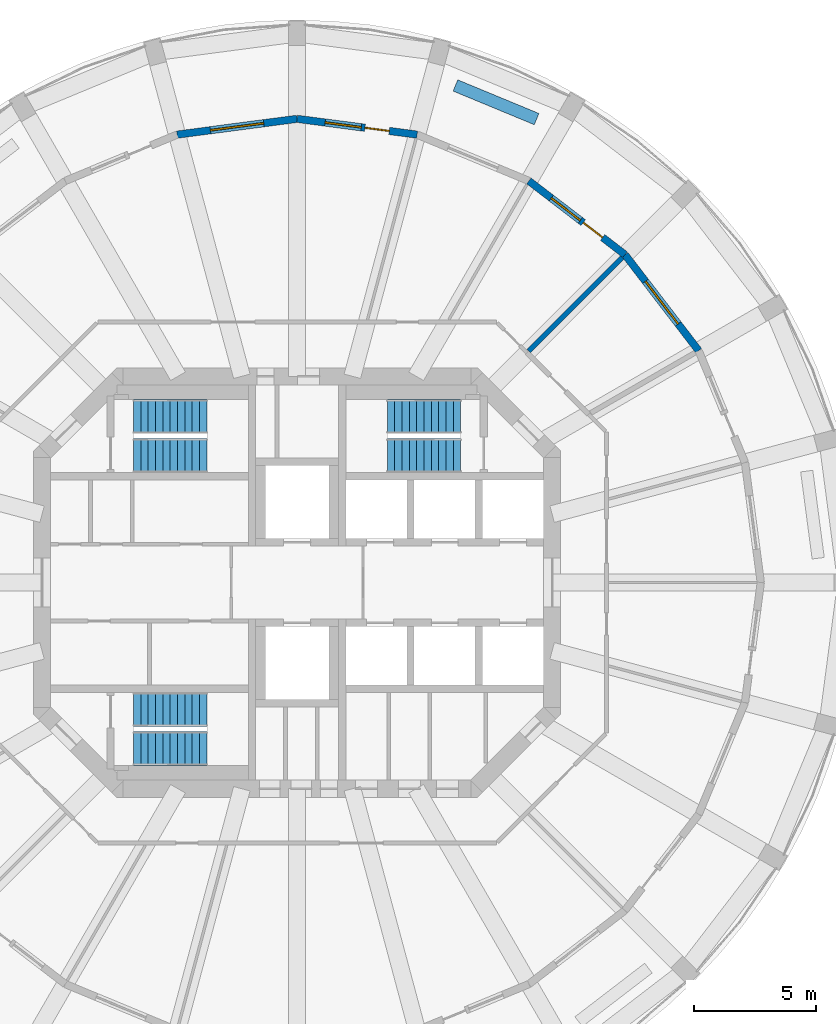
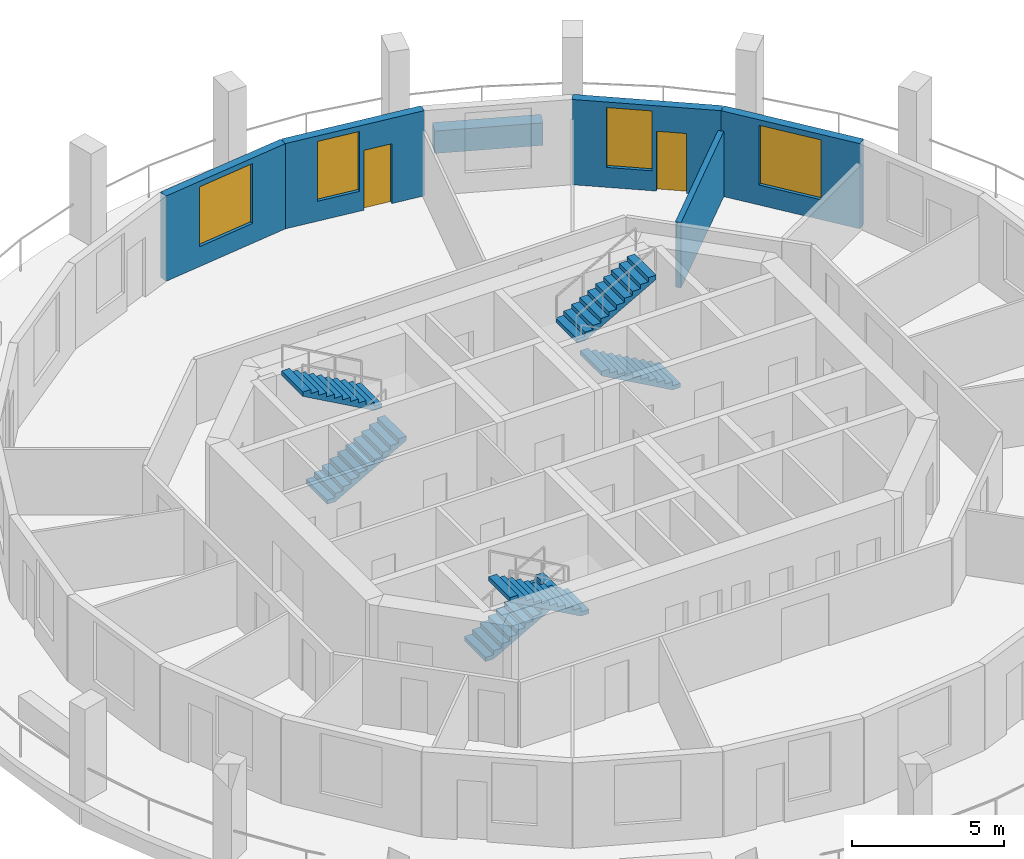
# One storey, part 7 of 9: 6 stair flights, 6 walls, 4 windows, 2 doors, 6 openings, 3 elements without a shape of their own.
"""IFC4 building model written with IfcOpenShell, lengths in metres."""

from ifc_helpers import new_model, si_unit, direction, frame, frame_2d, origin, place, context, subcontext, project, spatial, polyline, rectangle, outline, extrude, material, layer, layer_set, type_object, element, fill, aggregate, save


model = new_model("IFC4")

# Units and contexts
model_context = context("Model", 3, precision=1e-05, world=origin(), true_north=direction((0.0, 1.0)))
body_context = subcontext(model_context, "Body", "Model", "MODEL_VIEW")
ifc_project = project(units=[si_unit("LENGTHUNIT", "METRE"), si_unit("AREAUNIT", "SQUARE_METRE"), si_unit("VOLUMEUNIT", "CUBIC_METRE"), si_unit("PLANEANGLEUNIT", "RADIAN"), si_unit("MASSUNIT", "GRAM", prefix="KILO")], contexts=[model_context])

# Site, building, storey
site_placement = place(None, origin())
site = spatial("IfcSite", under=ifc_project, at=site_placement, CompositionType="ELEMENT")
building_placement = place(site_placement, origin())
building = spatial("IfcBuilding", under=site, at=building_placement, Name="Torre Triforio", CompositionType="ELEMENT")
storey_placement = place(building_placement, frame((0.0, 0.0, 172.699951171875)))
storey = spatial("IfcBuildingStorey", under=building, at=storey_placement, Name="L39", CompositionType="ELEMENT", Elevation=172.699951171875)

# Walls
ifc_material_1 = material(Name="Masonry block", Category="masonry")
ifc_layer_1 = layer(ifc_material_1, 0.199951171875)
ifc_layer_set_1 = layer_set([ifc_layer_1], Name="Masonry block")
wall_type_1 = type_object("IfcWallType", Name="Plant room wall 200 mm block EI 120", PredefinedType="PARTITIONING", material=ifc_layer_set_1)
wall_1_placement = place(storey_placement, frame((9.491455078125, 9.491455078125, 0.0), z_axis=(0.0, 0.0, 1.0), x_axis=(0.707106781187, 0.707106781187, 0.0)))
element("IfcWall", 1, at=wall_1_placement, inside=storey, type_object=wall_type_1, Name="Partition 14", PredefinedType="PARTITIONING", context=body_context, shape_type="SweptSolid", body=[
    extrude(rectangle(XDim=5.413818359375, YDim=0.199951171875, at=frame_2d((2.70703125, 0.0))), origin(), (0.0, 0.0, 1.0), 2.6201171875),
])
ifc_material_2 = material(Name="Limestone cladding", Category="masonry")
ifc_layer_2 = layer(ifc_material_2, 0.10009765625)
ifc_material_3 = material(Name="Concrete C40", Category="concrete")
ifc_layer_3 = layer(ifc_material_3, 0.39990234375)
ifc_layer_set_2 = layer_set([ifc_layer_2, ifc_layer_3], Name="Limestone cladding / Concrete C40")
wall_type_2 = type_object("IfcWallType", Name="Planter wall 500", PredefinedType="PARAPET", material=ifc_layer_set_2)
wall_2_placement = place(storey_placement, frame((9.814208984375, 18.98974609375, 0.0), z_axis=(0.0, 0.0, 1.0), x_axis=(-0.923875488976, 0.382693194178, 0.0)))
element("IfcWall", 2, at=wall_2_placement, inside=storey, type_object=wall_type_2, Name="Planter L39 bay 05", PredefinedType="PARAPET", context=body_context, shape_type="SweptSolid", body=[
    extrude(rectangle(XDim=3.599853515625, YDim=0.5, at=frame_2d((1.7998046875, 0.0))), origin(), (0.0, 0.0, 1.0), 0.900146484375),
])

# Wall, opening, window
ifc_layer_4 = layer(ifc_material_2, 0.10009765625)
ifc_layer_5 = layer(ifc_material_3, 0.199951171875)
ifc_layer_set_3 = layer_set([ifc_layer_4, ifc_layer_5], Name="Limestone cladding / Concrete C40")
wall_type_3 = type_object("IfcWallType", Name="Stone-faced composite wall 300", PredefinedType="STANDARD", material=ifc_layer_set_3)
wall_3_placement = place(storey_placement, frame((16.45458984375, 9.5, 0.0), z_axis=(0.0, 0.0, 1.0), x_axis=(-0.608768356425, 0.793348024649, 0.0)))
wall_3 = element("IfcWall", 3, at=wall_3_placement, inside=storey, type_object=wall_type_3, Name="External wall L39 bay 03", PredefinedType="STANDARD", context=body_context, shape_type="SweptSolid", body=[
    extrude(rectangle(XDim=4.9599609375, YDim=0.300048828125, at=frame_2d((2.47998046875, 0.0))), origin(), (0.0, 0.0, 1.0), 3.420166015625),
])
opening_1_placement = place(wall_3_placement, frame((1.3798828125, 0.0, 0.800048828125)))
opening_1 = element("IfcOpeningElement", 4, at=opening_1_placement, cuts=wall_3, Name="Opening O2-W03", PredefinedType="OPENING", context=body_context, shape_type="SweptSolid", body=[
    extrude(rectangle(XDim=2.199951171875, YDim=2.39990234375, at=frame_2d((1.10009765625, 1.199951171875))), frame((0.0, 0.159912109375, 0.0), z_axis=(0.0, -1.0, 0.0), x_axis=(1.0, 0.0, 0.0)), (0.0, 0.0, 1.0), 0.320068359375),
])
ifc_material_4 = material(Name="Aluminium frame with clear double glazing", Category="aluminium")
window_type_1 = type_object("IfcWindowType", Name="Punched window 2200 x 2400", PartitioningType="DOUBLE_PANEL_VERTICAL", PredefinedType="WINDOW", material=ifc_material_4)
window_1_placement = place(opening_1_placement, origin())
window_1 = element("IfcWindow", 5, at=window_1_placement, inside=storey, type_object=window_type_1, Name="Window EWN5 L39 bay 03", OverallHeight=2.39990234375, OverallWidth=2.199951171875, PartitioningType="SINGLE_PANEL", PredefinedType="WINDOW", context=body_context, shape_type="SweptSolid", body=[
    extrude(rectangle(XDim=2.199951171875, YDim=2.39990234375, at=frame_2d((1.10009765625, 1.199951171875))), frame((0.0, 0.030029296875, 0.0), z_axis=(0.0, -1.0, 0.0), x_axis=(1.0, 0.0, 0.0)), (0.0, 0.0, 1.0), 0.06005859375),
])
fill(opening_1, window_1)

# Wall, openings, door, window
wall_4_placement = place(storey_placement, frame((13.43505859375, 13.43505859375, 0.0), z_axis=(0.0, 0.0, 1.0), x_axis=(-0.793348024649, 0.608768356425, 0.0)))
wall_4 = element("IfcWall", 6, at=wall_4_placement, inside=storey, type_object=wall_type_3, Name="External wall L39 bay 04", PredefinedType="STANDARD", context=body_context, shape_type="SweptSolid", body=[
    extrude(rectangle(XDim=4.9599609375, YDim=0.300048828125, at=frame_2d((2.47998046875, 0.0))), origin(), (0.0, 0.0, 1.0), 3.420166015625),
])
opening_2_placement = place(wall_4_placement, frame((1.155029296875, 0.0, 0.0)))
opening_2 = element("IfcOpeningElement", 7, at=opening_2_placement, cuts=wall_4, Name="Opening O2-D04", PredefinedType="OPENING", context=body_context, shape_type="SweptSolid", body=[
    extrude(rectangle(XDim=1.0, YDim=2.39990234375, at=frame_2d((0.5, 1.199951171875))), frame((0.0, 0.159912109375, 0.0), z_axis=(0.0, -1.0, 0.0), x_axis=(1.0, 0.0, 0.0)), (0.0, 0.0, 1.0), 0.320068359375),
])
opening_3_placement = place(wall_4_placement, frame((2.304931640625, 0.0, 0.800048828125)))
opening_3 = element("IfcOpeningElement", 8, at=opening_3_placement, cuts=wall_4, Name="Opening O2-W04A", PredefinedType="OPENING", context=body_context, shape_type="SweptSolid", body=[
    extrude(rectangle(XDim=1.5, YDim=2.39990234375, at=frame_2d((0.75, 1.199951171875))), frame((0.0, 0.159912109375, 0.0), z_axis=(0.0, -1.0, 0.0), x_axis=(1.0, 0.0, 0.0)), (0.0, 0.0, 1.0), 0.320068359375),
])
door_type = type_object("IfcDoorType", Name="Loggia door 1000 x 2400", OperationType="NOTDEFINED", PredefinedType="DOOR", material=ifc_material_4)
door_1_placement = place(opening_2_placement, origin())
door_1 = element("IfcDoor", 9, at=door_1_placement, inside=storey, type_object=door_type, Name="Loggia door L39 bay 04", OperationType="SINGLE_SWING_LEFT", OverallHeight=2.39990234375, OverallWidth=1.0, PredefinedType="DOOR", context=body_context, shape_type="SweptSolid", body=[
    extrude(rectangle(XDim=1.0, YDim=2.39990234375, at=frame_2d((0.5, 1.199951171875))), frame((0.0, 0.02490234375, 0.0), z_axis=(0.0, -1.0, 0.0), x_axis=(1.0, 0.0, 0.0)), (0.0, 0.0, 1.0), 0.050048828125),
])
fill(opening_2, door_1)
window_type_2 = type_object("IfcWindowType", Name="Side window 1500 x 2400", PartitioningType="SINGLE_PANEL", PredefinedType="WINDOW", material=ifc_material_4)
window_2_placement = place(opening_3_placement, origin())
window_2 = element("IfcWindow", 10, at=window_2_placement, inside=storey, type_object=window_type_2, Name="Side window EWN14 L39 bay 04", OverallHeight=2.39990234375, OverallWidth=1.5, PartitioningType="SINGLE_PANEL", PredefinedType="WINDOW", context=body_context, shape_type="SweptSolid", body=[
    extrude(rectangle(XDim=1.5, YDim=2.39990234375, at=frame_2d((0.75, 1.199951171875))), frame((0.0, 0.030029296875, 0.0), z_axis=(0.0, -1.0, 0.0), x_axis=(1.0, 0.0, 0.0)), (0.0, 0.0, 1.0), 0.06005859375),
])
fill(opening_3, window_2)

wall_5_placement = place(storey_placement, frame((4.91748046875, 18.3525390625, 0.0), z_axis=(0.0, 0.0, 1.0), x_axis=(-0.991443234469, 0.130538549191, 0.0)))
wall_5 = element("IfcWall", 11, at=wall_5_placement, inside=storey, type_object=wall_type_3, Name="External wall L39 bay 06", PredefinedType="STANDARD", context=body_context, shape_type="SweptSolid", body=[
    extrude(rectangle(XDim=4.9599609375, YDim=0.300048828125, at=frame_2d((2.47998046875, 0.0))), origin(), (0.0, 0.0, 1.0), 3.420166015625),
])
opening_4_placement = place(wall_5_placement, frame((1.155029296875, 0.0, 0.0)))
opening_4 = element("IfcOpeningElement", 12, at=opening_4_placement, cuts=wall_5, Name="Opening O2-D06", PredefinedType="OPENING", context=body_context, shape_type="SweptSolid", body=[
    extrude(rectangle(XDim=1.0, YDim=2.39990234375, at=frame_2d((0.5, 1.199951171875))), frame((0.0, 0.159912109375, 0.0), z_axis=(0.0, -1.0, 0.0), x_axis=(1.0, 0.0, 0.0)), (0.0, 0.0, 1.0), 0.320068359375),
])
opening_5_placement = place(wall_5_placement, frame((2.304931640625, 0.0, 0.800048828125)))
opening_5 = element("IfcOpeningElement", 13, at=opening_5_placement, cuts=wall_5, Name="Opening O2-W06A", PredefinedType="OPENING", context=body_context, shape_type="SweptSolid", body=[
    extrude(rectangle(XDim=1.5, YDim=2.39990234375, at=frame_2d((0.75, 1.199951171875))), frame((0.0, 0.159912109375, 0.0), z_axis=(0.0, -1.0, 0.0), x_axis=(1.0, 0.0, 0.0)), (0.0, 0.0, 1.0), 0.320068359375),
])
door_2_placement = place(opening_4_placement, origin())
door_2 = element("IfcDoor", 14, at=door_2_placement, inside=storey, type_object=door_type, Name="Loggia door L39 bay 06", OperationType="SINGLE_SWING_LEFT", OverallHeight=2.39990234375, OverallWidth=1.0, PredefinedType="DOOR", context=body_context, shape_type="SweptSolid", body=[
    extrude(rectangle(XDim=1.0, YDim=2.39990234375, at=frame_2d((0.5, 1.199951171875))), frame((0.0, 0.02490234375, 0.0), z_axis=(0.0, -1.0, 0.0), x_axis=(1.0, 0.0, 0.0)), (0.0, 0.0, 1.0), 0.050048828125),
])
fill(opening_4, door_2)
window_3_placement = place(opening_5_placement, origin())
window_3 = element("IfcWindow", 15, at=window_3_placement, inside=storey, type_object=window_type_2, Name="Side window EWN14 L39 bay 06", OverallHeight=2.39990234375, OverallWidth=1.5, PartitioningType="SINGLE_PANEL", PredefinedType="WINDOW", context=body_context, shape_type="SweptSolid", body=[
    extrude(rectangle(XDim=1.5, YDim=2.39990234375, at=frame_2d((0.75, 1.199951171875))), frame((0.0, 0.030029296875, 0.0), z_axis=(0.0, -1.0, 0.0), x_axis=(1.0, 0.0, 0.0)), (0.0, 0.0, 1.0), 0.06005859375),
])
fill(opening_5, window_3)

# Wall, opening, window
wall_6_placement = place(storey_placement, frame((0.0, 19.0, 0.0), z_axis=(0.0, 0.0, 1.0), x_axis=(-0.991443234469, -0.130538549191, 0.0)))
wall_6 = element("IfcWall", 16, at=wall_6_placement, inside=storey, type_object=wall_type_3, Name="External wall L39 bay 07", PredefinedType="STANDARD", context=body_context, shape_type="SweptSolid", body=[
    extrude(rectangle(XDim=4.9599609375, YDim=0.300048828125, at=frame_2d((2.47998046875, 0.0))), origin(), (0.0, 0.0, 1.0), 3.420166015625),
])
opening_6_placement = place(wall_6_placement, frame((1.3798828125, 0.0, 0.800048828125)))
opening_6 = element("IfcOpeningElement", 17, at=opening_6_placement, cuts=wall_6, Name="Opening O2-W07", PredefinedType="OPENING", context=body_context, shape_type="SweptSolid", body=[
    extrude(rectangle(XDim=2.199951171875, YDim=2.39990234375, at=frame_2d((1.10009765625, 1.199951171875))), frame((0.0, 0.159912109375, 0.0), z_axis=(0.0, -1.0, 0.0), x_axis=(1.0, 0.0, 0.0)), (0.0, 0.0, 1.0), 0.320068359375),
])
window_4_placement = place(opening_6_placement, origin())
window_4 = element("IfcWindow", 18, at=window_4_placement, inside=storey, type_object=window_type_1, Name="Window EWN5 L39 bay 07", OverallHeight=2.39990234375, OverallWidth=2.199951171875, PartitioningType="SINGLE_PANEL", PredefinedType="WINDOW", context=body_context, shape_type="SweptSolid", body=[
    extrude(rectangle(XDim=2.199951171875, YDim=2.39990234375, at=frame_2d((1.10009765625, 1.199951171875))), frame((0.0, 0.030029296875, 0.0), z_axis=(0.0, -1.0, 0.0), x_axis=(1.0, 0.0, 0.0)), (0.0, 0.0, 1.0), 0.06005859375),
])
fill(opening_6, window_4)

# Stair, stair flights
stair_type = type_object("IfcStairType", Name="STAIR HALF-TURN", PredefinedType="HALF_TURN_STAIR", material=ifc_material_3)
stair_1_placement = place(storey_placement, origin())
stair_1 = element("IfcStair", 19, at=stair_1_placement, inside=storey, type_object=stair_type, Name="Exit stair 1", PredefinedType="HALF_TURN_STAIR")
stair_flight_type = type_object("IfcStairFlightType", Name="STAIR FLIGHT 1400", PredefinedType="STRAIGHT", material=ifc_material_3)
stair_flight_1_placement = place(storey_placement, frame((-6.699951171875, 5.199951171875, 0.0), z_axis=(0.0, 0.0, 1.0), x_axis=(1.0, 0.0, 0.0)))
stair_flight_1 = element("IfcStairFlight", 20, at=stair_flight_1_placement, type_object=stair_flight_type, Name="ST1 flight 1", NumberOfRisers=11, NumberOfTreads=10, PredefinedType="STRAIGHT", RiserHeight=0.168181818, TreadLength=0.3, context=body_context, shape_type="SweptSolid", body=[
    extrude(outline(polyline([(0.0, 0.0), (0.0, 0.168212890625), (0.300048828125, 0.168212890625), (0.300048828125, 0.33642578125), (0.60009765625, 0.33642578125), (0.60009765625, 0.504638671875), (0.89990234375, 0.504638671875), (0.89990234375, 0.672607421875), (1.199951171875, 0.672607421875), (1.199951171875, 0.8408203125), (1.5, 0.8408203125), (1.5, 1.009033203125), (1.800048828125, 1.009033203125), (1.800048828125, 1.17724609375), (2.10009765625, 1.17724609375), (2.10009765625, 1.345458984375), (2.39990234375, 1.345458984375), (2.39990234375, 1.513671875), (2.699951171875, 1.513671875), (2.699951171875, 1.681884765625), (3.0, 1.681884765625), (3.0, 1.85009765625), (3.0, 1.510009765625), (0.306640625, 0.0), (0.0, 0.0)])), frame((0.0, 0.699951171875, 0.0), z_axis=(0.0, -1.0, 0.0), x_axis=(1.0, 0.0, 0.0)), (0.0, 0.0, 1.0), 1.39990234375),
])
stair_flight_2_placement = place(storey_placement, frame((-3.699951171875, 6.800048828125, 1.85009765625), z_axis=(0.0, 0.0, 1.0), x_axis=(-1.0, 0.0, 0.0)))
stair_flight_2 = element("IfcStairFlight", 21, at=stair_flight_2_placement, type_object=stair_flight_type, Name="ST1 flight 2", NumberOfRisers=11, NumberOfTreads=10, PredefinedType="STRAIGHT", RiserHeight=0.168181818, TreadLength=0.3, context=body_context, shape_type="SweptSolid", body=[
    extrude(outline(polyline([(0.0, 0.0), (0.0, 0.168212890625), (0.300048828125, 0.168212890625), (0.300048828125, 0.33642578125), (0.60009765625, 0.33642578125), (0.60009765625, 0.504638671875), (0.89990234375, 0.504638671875), (0.89990234375, 0.672607421875), (1.199951171875, 0.672607421875), (1.199951171875, 0.8408203125), (1.5, 0.8408203125), (1.5, 1.009033203125), (1.800048828125, 1.009033203125), (1.800048828125, 1.17724609375), (2.10009765625, 1.17724609375), (2.10009765625, 1.345458984375), (2.39990234375, 1.345458984375), (2.39990234375, 1.513671875), (2.699951171875, 1.513671875), (2.699951171875, 1.681884765625), (3.0, 1.681884765625), (3.0, 1.85009765625), (3.0, 1.510009765625), (0.306640625, 0.0), (0.0, 0.0)])), frame((0.0, 0.699951171875, 0.0), z_axis=(0.0, -1.0, 0.0), x_axis=(1.0, 0.0, 0.0)), (0.0, 0.0, 1.0), 1.39990234375),
])
aggregate(stair_1, [stair_flight_1, stair_flight_2])

stair_2_placement = place(storey_placement, origin())
stair_2 = element("IfcStair", 22, at=stair_2_placement, inside=storey, type_object=stair_type, Name="Exit stair 2", PredefinedType="HALF_TURN_STAIR")
stair_flight_3_placement = place(storey_placement, frame((6.699951171875, 5.199951171875, 0.0), z_axis=(0.0, 0.0, 1.0), x_axis=(-1.0, 0.0, 0.0)))
stair_flight_3 = element("IfcStairFlight", 23, at=stair_flight_3_placement, type_object=stair_flight_type, Name="ST2 flight 1", NumberOfRisers=11, NumberOfTreads=10, PredefinedType="STRAIGHT", RiserHeight=0.168181818, TreadLength=0.3, context=body_context, shape_type="SweptSolid", body=[
    extrude(outline(polyline([(0.0, 0.0), (0.0, 0.168212890625), (0.300048828125, 0.168212890625), (0.300048828125, 0.33642578125), (0.60009765625, 0.33642578125), (0.60009765625, 0.504638671875), (0.89990234375, 0.504638671875), (0.89990234375, 0.672607421875), (1.199951171875, 0.672607421875), (1.199951171875, 0.8408203125), (1.5, 0.8408203125), (1.5, 1.009033203125), (1.800048828125, 1.009033203125), (1.800048828125, 1.17724609375), (2.10009765625, 1.17724609375), (2.10009765625, 1.345458984375), (2.39990234375, 1.345458984375), (2.39990234375, 1.513671875), (2.699951171875, 1.513671875), (2.699951171875, 1.681884765625), (3.0, 1.681884765625), (3.0, 1.85009765625), (3.0, 1.510009765625), (0.306640625, 0.0), (0.0, 0.0)])), frame((0.0, 0.699951171875, 0.0), z_axis=(0.0, -1.0, 0.0), x_axis=(1.0, 0.0, 0.0)), (0.0, 0.0, 1.0), 1.39990234375),
])
stair_flight_4_placement = place(storey_placement, frame((3.699951171875, 6.800048828125, 1.85009765625), z_axis=(0.0, 0.0, 1.0), x_axis=(1.0, 0.0, 0.0)))
stair_flight_4 = element("IfcStairFlight", 24, at=stair_flight_4_placement, type_object=stair_flight_type, Name="ST2 flight 2", NumberOfRisers=11, NumberOfTreads=10, PredefinedType="STRAIGHT", RiserHeight=0.168181818, TreadLength=0.3, context=body_context, shape_type="SweptSolid", body=[
    extrude(outline(polyline([(0.0, 0.0), (0.0, 0.168212890625), (0.300048828125, 0.168212890625), (0.300048828125, 0.33642578125), (0.60009765625, 0.33642578125), (0.60009765625, 0.504638671875), (0.89990234375, 0.504638671875), (0.89990234375, 0.672607421875), (1.199951171875, 0.672607421875), (1.199951171875, 0.8408203125), (1.5, 0.8408203125), (1.5, 1.009033203125), (1.800048828125, 1.009033203125), (1.800048828125, 1.17724609375), (2.10009765625, 1.17724609375), (2.10009765625, 1.345458984375), (2.39990234375, 1.345458984375), (2.39990234375, 1.513671875), (2.699951171875, 1.513671875), (2.699951171875, 1.681884765625), (3.0, 1.681884765625), (3.0, 1.85009765625), (3.0, 1.510009765625), (0.306640625, 0.0), (0.0, 0.0)])), frame((0.0, 0.699951171875, 0.0), z_axis=(0.0, -1.0, 0.0), x_axis=(1.0, 0.0, 0.0)), (0.0, 0.0, 1.0), 1.39990234375),
])
aggregate(stair_2, [stair_flight_3, stair_flight_4])

stair_3_placement = place(storey_placement, origin())
stair_3 = element("IfcStair", 25, at=stair_3_placement, inside=storey, type_object=stair_type, Name="Exit stair 3", PredefinedType="HALF_TURN_STAIR")
stair_flight_5_placement = place(storey_placement, frame((-6.699951171875, -5.199951171875, 0.0), z_axis=(0.0, 0.0, 1.0), x_axis=(1.0, 0.0, 0.0)))
stair_flight_5 = element("IfcStairFlight", 26, at=stair_flight_5_placement, type_object=stair_flight_type, Name="ST3 flight 1", NumberOfRisers=11, NumberOfTreads=10, PredefinedType="STRAIGHT", RiserHeight=0.168181818, TreadLength=0.3, context=body_context, shape_type="SweptSolid", body=[
    extrude(outline(polyline([(0.0, 0.0), (0.0, 0.168212890625), (0.300048828125, 0.168212890625), (0.300048828125, 0.33642578125), (0.60009765625, 0.33642578125), (0.60009765625, 0.504638671875), (0.89990234375, 0.504638671875), (0.89990234375, 0.672607421875), (1.199951171875, 0.672607421875), (1.199951171875, 0.8408203125), (1.5, 0.8408203125), (1.5, 1.009033203125), (1.800048828125, 1.009033203125), (1.800048828125, 1.17724609375), (2.10009765625, 1.17724609375), (2.10009765625, 1.345458984375), (2.39990234375, 1.345458984375), (2.39990234375, 1.513671875), (2.699951171875, 1.513671875), (2.699951171875, 1.681884765625), (3.0, 1.681884765625), (3.0, 1.85009765625), (3.0, 1.510009765625), (0.306640625, 0.0), (0.0, 0.0)])), frame((0.0, 0.699951171875, 0.0), z_axis=(0.0, -1.0, 0.0), x_axis=(1.0, 0.0, 0.0)), (0.0, 0.0, 1.0), 1.39990234375),
])
stair_flight_6_placement = place(storey_placement, frame((-3.699951171875, -6.800048828125, 1.85009765625), z_axis=(0.0, 0.0, 1.0), x_axis=(-1.0, 0.0, 0.0)))
stair_flight_6 = element("IfcStairFlight", 27, at=stair_flight_6_placement, type_object=stair_flight_type, Name="ST3 flight 2", NumberOfRisers=11, NumberOfTreads=10, PredefinedType="STRAIGHT", RiserHeight=0.168181818, TreadLength=0.3, context=body_context, shape_type="SweptSolid", body=[
    extrude(outline(polyline([(0.0, 0.0), (0.0, 0.168212890625), (0.300048828125, 0.168212890625), (0.300048828125, 0.33642578125), (0.60009765625, 0.33642578125), (0.60009765625, 0.504638671875), (0.89990234375, 0.504638671875), (0.89990234375, 0.672607421875), (1.199951171875, 0.672607421875), (1.199951171875, 0.8408203125), (1.5, 0.8408203125), (1.5, 1.009033203125), (1.800048828125, 1.009033203125), (1.800048828125, 1.17724609375), (2.10009765625, 1.17724609375), (2.10009765625, 1.345458984375), (2.39990234375, 1.345458984375), (2.39990234375, 1.513671875), (2.699951171875, 1.513671875), (2.699951171875, 1.681884765625), (3.0, 1.681884765625), (3.0, 1.85009765625), (3.0, 1.510009765625), (0.306640625, 0.0), (0.0, 0.0)])), frame((0.0, 0.699951171875, 0.0), z_axis=(0.0, -1.0, 0.0), x_axis=(1.0, 0.0, 0.0)), (0.0, 0.0, 1.0), 1.39990234375),
])
aggregate(stair_3, [stair_flight_5, stair_flight_6])

save(model, "model.ifc")
